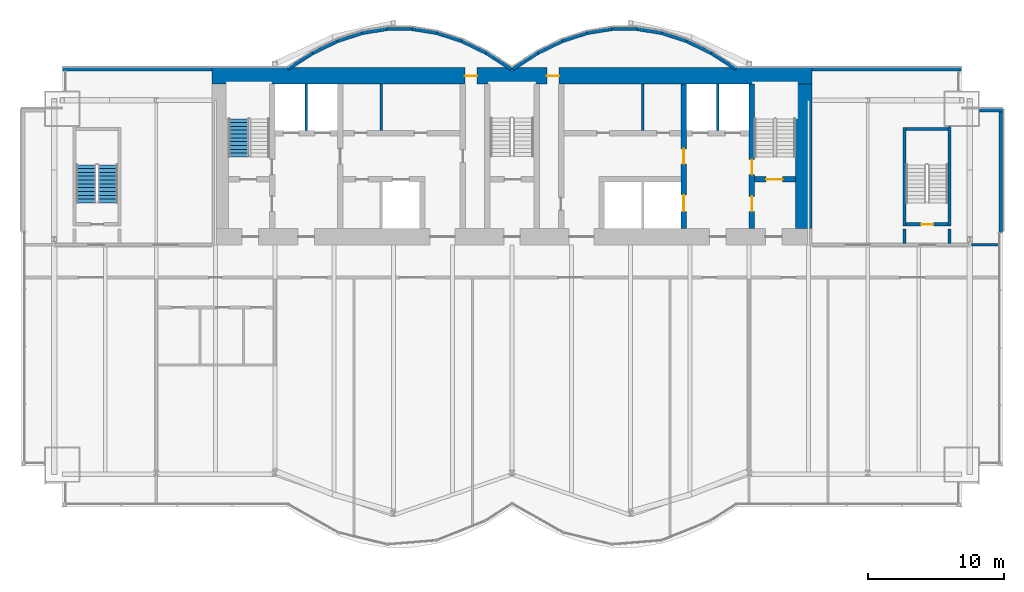
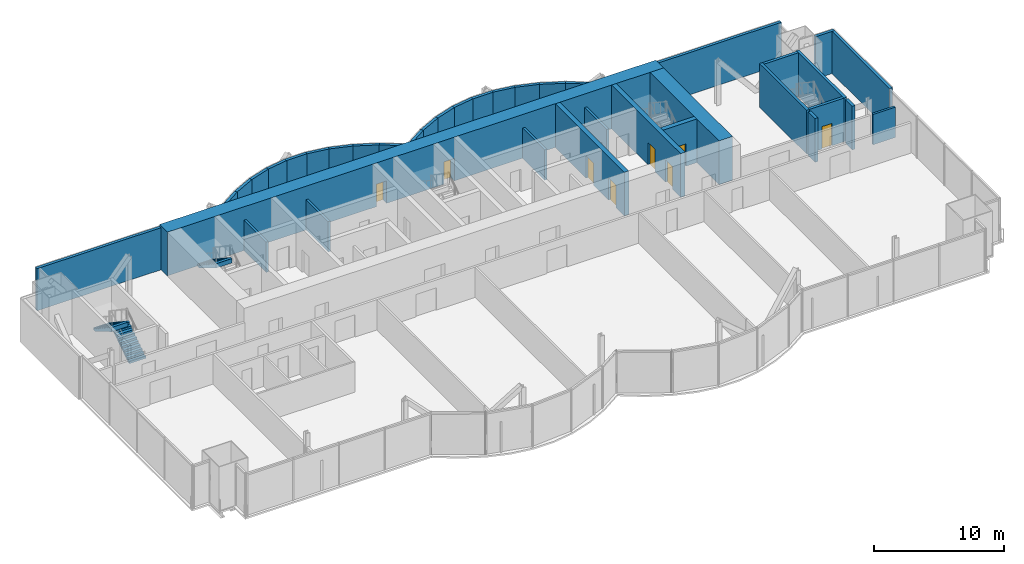
# One storey, part 16 of 20: 38 walls, 8 doors, 3 stair flights, 8 openings, 2 elements without a shape of their own.
"""IFC4 building model written with IfcOpenShell, lengths in metres."""

from ifc_helpers import new_model, si_unit, direction, frame, frame_2d, origin, place, context, subcontext, project, spatial, polyline, rectangle, outline, extrude, material, layer, layer_set, layer_usage, type_object, element, fill, aggregate, save


model = new_model("IFC4")

# Units and contexts
model_context = context("Model", 3, precision=1e-05, world=origin(), true_north=direction((0.0, 1.0)))
body_context = subcontext(model_context, "Body", "Model", "MODEL_VIEW")
ifc_project = project(units=[si_unit("LENGTHUNIT", "METRE"), si_unit("AREAUNIT", "SQUARE_METRE"), si_unit("VOLUMEUNIT", "CUBIC_METRE"), si_unit("PLANEANGLEUNIT", "RADIAN"), si_unit("MASSUNIT", "GRAM", prefix="KILO")], contexts=[model_context])

# Site, building, storey
site_placement = place(None, origin())
site = spatial("IfcSite", under=ifc_project, at=site_placement, CompositionType="ELEMENT")
building_placement = place(site_placement, origin())
building = spatial("IfcBuilding", under=site, at=building_placement, Name="Bicima Exchange Tower", CompositionType="ELEMENT")
storey_placement = place(building_placement, frame((0.0, 0.0, 207.300048828125)))
storey = spatial("IfcBuildingStorey", under=building, at=storey_placement, Name="L46", CompositionType="ELEMENT", Elevation=207.300048828125)

# Walls
ifc_material_1 = material(Name="Gypsum board partition")
ifc_layer_1 = layer(ifc_material_1, 0.199951171875)
ifc_layer_set_1 = layer_set([ifc_layer_1], Name="Gypsum board partition")
wall_type_1 = type_object("IfcWallType", Name="Fire-rated gypsum partition 200 EI120", PredefinedType="PARTITIONING", material=ifc_layer_set_1)
for number, where, z_axis, x_axis, name in (
    (1, (-15.10009765625, -4.60009765625, 0.0), (0.0, 0.0, 1.0), (0.0, 1.0, 0.0), "partition wall 9"),
    (2, (15.10009765625, -4.60009765625, 0.0), (0.0, 0.0, 1.0), (0.0, 1.0, 0.0), "partition wall 22"),
):
    element("IfcWall", number, at=place(storey_placement, frame(where, z_axis=z_axis, x_axis=x_axis)), inside=storey, type_object=wall_type_1, Name=name, PredefinedType="PARTITIONING", context=body_context, shape_type="SweptSolid", body=[
        extrude(rectangle(XDim=3.400146484375, YDim=0.199951171875, at=frame_2d((1.7001953125, 0.0))), origin(), (0.0, 0.0, 1.0), 2.84033203125),
    ])
ifc_layer_2 = layer(ifc_material_1, 0.199951171875)
ifc_layer_set_2 = layer_set([ifc_layer_2], Name="Gypsum board partition")
wall_type_2 = type_object("IfcWallType", Name="Fire-rated gypsum partition 200 EI60", PredefinedType="PARTITIONING", material=ifc_layer_set_2)
wall_1_placement = place(storey_placement, frame((33.719970703125, -13.0, 0.0), z_axis=(0.0, 0.0, 1.0), x_axis=(1.0, 0.0, 0.0)))
element("IfcWall", 3, at=wall_1_placement, inside=storey, type_object=wall_type_2, Name="partition wall 7", PredefinedType="PARTITIONING", context=body_context, shape_type="SweptSolid", body=[
    extrude(rectangle(XDim=1.9599609375, YDim=0.199951171875, at=frame_2d((0.97998046875, 0.0))), origin(), (0.0, 0.0, 1.0), 2.84033203125),
])
for number, where, z_axis, x_axis, name in (
    (4, (-9.60009765625, -4.60009765625, 0.0), (0.0, 0.0, 1.0), (0.0, 1.0, 0.0), "partition wall 12"),
    (5, (9.60009765625, -4.60009765625, 0.0), (0.0, 0.0, 1.0), (0.0, 1.0, 0.0), "partition wall 20"),
):
    element("IfcWall", number, at=place(storey_placement, frame(where, z_axis=z_axis, x_axis=x_axis)), inside=storey, type_object=wall_type_2, Name=name, PredefinedType="PARTITIONING", context=body_context, shape_type="SweptSolid", body=[
        extrude(rectangle(XDim=3.400146484375, YDim=0.199951171875, at=frame_2d((1.7001953125, 0.0))), origin(), (0.0, 0.0, 1.0), 2.84033203125),
    ])

# Wall, openings, doors
ifc_material_2 = material(Name="Concrete C50/60", Category="concrete")
ifc_layer_3 = layer(ifc_material_2, 1.199951171875)
ifc_layer_set_3 = layer_set([ifc_layer_3], Name="Concrete C50/60")
wall_type_3 = type_object("IfcWallType", Name="RC core wall 1200 C50/60", PredefinedType="SHEAR", material=ifc_layer_set_3)
wall_2_placement = place(storey_placement, frame((-22.0, -0.60009765625, 0.0), z_axis=(0.0, 0.0, 1.0), x_axis=(1.0, 0.0, 0.0)))
wall_2 = element("IfcWall", 6, at=wall_2_placement, inside=storey, type_object=wall_type_3, Name="Core wall north", PredefinedType="SHEAR", context=body_context, shape_type="SweptSolid", body=[
    extrude(rectangle(XDim=44.0, YDim=1.199951171875, at=frame_2d((22.0, 0.0))), origin(), (0.0, 0.0, 1.0), 4.099853515625),
])
opening_1_placement = place(wall_2_placement, frame((18.550048828125, 0.0, 0.0)))
opening_1 = element("IfcOpeningElement", 7, at=opening_1_placement, cuts=wall_2, Name="Opening L46-C17", PredefinedType="OPENING", context=body_context, shape_type="SweptSolid", body=[
    extrude(rectangle(XDim=0.89990234375, YDim=2.10009765625, at=frame_2d((0.449951171875, 1.050048828125))), frame((0.0, 0.61181640625, 0.0), z_axis=(0.0, -1.0, 0.0), x_axis=(1.0, 0.0, 0.0)), (0.0, 0.0, 1.0), 1.223876953125),
])
opening_2_placement = place(wall_2_placement, frame((24.550048828125, 0.0, 0.0)))
opening_2 = element("IfcOpeningElement", 8, at=opening_2_placement, cuts=wall_2, Name="Opening L46-C18", PredefinedType="OPENING", context=body_context, shape_type="SweptSolid", body=[
    extrude(rectangle(XDim=0.89990234375, YDim=2.10009765625, at=frame_2d((0.449951171875, 1.050048828125))), frame((0.0, 0.61181640625, 0.0), z_axis=(0.0, -1.0, 0.0), x_axis=(1.0, 0.0, 0.0)), (0.0, 0.0, 1.0), 1.223876953125),
])
ifc_material_3 = material(Name="Steel fire door leaf", Category="steel")
door_type_1 = type_object("IfcDoorType", Name="Door 900 swing FD30S", OperationType="SINGLE_SWING_LEFT", PredefinedType="DOOR", material=ifc_material_3)
door_1_placement = place(opening_1_placement, origin())
door_1 = element("IfcDoor", 9, at=door_1_placement, inside=storey, type_object=door_type_1, Name="Core door", OperationType="SINGLE_SWING_LEFT", OverallHeight=2.10009765625, OverallWidth=0.89990234375, PredefinedType="DOOR", context=body_context, shape_type="SweptSolid", body=[
    extrude(rectangle(XDim=0.89990234375, YDim=2.10009765625, at=frame_2d((0.449951171875, 1.050048828125))), frame((0.0, 0.02490234375, 0.0), z_axis=(0.0, -1.0, 0.0), x_axis=(1.0, 0.0, 0.0)), (0.0, 0.0, 1.0), 0.050048828125),
])
fill(opening_1, door_1)
door_2_placement = place(opening_2_placement, origin())
door_2 = element("IfcDoor", 10, at=door_2_placement, inside=storey, type_object=door_type_1, Name="Core door", OperationType="SINGLE_SWING_LEFT", OverallHeight=2.10009765625, OverallWidth=0.89990234375, PredefinedType="DOOR", context=body_context, shape_type="SweptSolid", body=[
    extrude(rectangle(XDim=0.89990234375, YDim=2.10009765625, at=frame_2d((0.449951171875, 1.050048828125))), frame((0.0, 0.02490234375, 0.0), z_axis=(0.0, -1.0, 0.0), x_axis=(1.0, 0.0, 0.0)), (0.0, 0.0, 1.0), 0.050048828125),
])
fill(opening_2, door_2)

# Walls
wall_3_placement = place(storey_placement, frame((21.39990234375, -11.800048828125, 0.0), z_axis=(0.0, 0.0, 1.0), x_axis=(0.0, 1.0, 0.0)))
element("IfcWall", 11, at=wall_3_placement, inside=storey, type_object=wall_type_3, Name="Core wall east", PredefinedType="SHEAR", context=body_context, shape_type="SweptSolid", body=[
    extrude(rectangle(XDim=10.60009765625, YDim=1.199951171875, at=frame_2d((5.300048828125, 0.0))), origin(), (0.0, 0.0, 1.0), 4.099853515625),
])
ifc_layer_4 = layer(ifc_material_2, 0.25)
ifc_layer_set_4 = layer_set([ifc_layer_4], Name="Concrete C50/60")
wall_type_4 = type_object("IfcWallType", Name="RC core wall 250 C50/60", PredefinedType="SHEAR", material=ifc_layer_set_4)
for number, where, z_axis, x_axis, name in (
    (12, (28.800048828125, -12.89990234375, 0.0), (0.0, 0.0, 1.0), (0.0, 1.0, 0.0), "stair wall 26"),
    (13, (32.10009765625, -12.89990234375, 0.0), (0.0, 0.0, 1.0), (0.0, 1.0, 0.0), "stair wall 27"),
):
    element("IfcWall", number, at=place(storey_placement, frame(where, z_axis=z_axis, x_axis=x_axis)), inside=storey, type_object=wall_type_4, Name=name, PredefinedType="SHEAR", context=body_context, shape_type="SweptSolid", body=[
        extrude(rectangle(XDim=1.0498046875, YDim=0.25, at=frame_2d((0.52490234375, 0.0))), origin(), (0.0, 0.0, 1.0), 4.099853515625),
    ])

# Wall, opening, door
ifc_layer_5 = layer(ifc_material_2, 0.39990234375)
ifc_layer_set_5 = layer_set([ifc_layer_5], Name="Concrete C50/60")
wall_type_5 = type_object("IfcWallType", Name="RC core wall 400 C50/60", PredefinedType="SHEAR", material=ifc_layer_set_5)
wall_4_placement = place(storey_placement, frame((17.800048828125, -8.199951171875, 0.0), z_axis=(0.0, 0.0, 1.0), x_axis=(1.0, 0.0, 0.0)))
wall_4 = element("IfcWall", 14, at=wall_4_placement, inside=storey, type_object=wall_type_5, Name="stair wall 5", PredefinedType="SHEAR", context=body_context, shape_type="SweptSolid", body=[
    extrude(rectangle(XDim=3.0, YDim=0.39990234375, at=frame_2d((1.5, 0.0))), origin(), (0.0, 0.0, 1.0), 4.099853515625),
])
opening_3_placement = place(wall_4_placement, frame((0.85009765625, 0.0, 0.0)))
opening_3 = element("IfcOpeningElement", 15, at=opening_3_placement, cuts=wall_4, Name="Opening L46-C04", PredefinedType="OPENING", context=body_context, shape_type="SweptSolid", body=[
    extrude(rectangle(XDim=1.199951171875, YDim=2.10009765625, at=frame_2d((0.60009765625, 1.050048828125))), frame((0.0, 0.2119140625, 0.0), z_axis=(0.0, -1.0, 0.0), x_axis=(1.0, 0.0, 0.0)), (0.0, 0.0, 1.0), 0.423828125),
])
door_type_2 = type_object("IfcDoorType", Name="Door 1200 swing FD60S", OperationType="SINGLE_SWING_LEFT", PredefinedType="DOOR", material=ifc_material_3)
door_3_placement = place(opening_3_placement, origin())
door_3 = element("IfcDoor", 16, at=door_3_placement, inside=storey, type_object=door_type_2, Name="Core door", OperationType="SINGLE_SWING_RIGHT", OverallHeight=2.10009765625, OverallWidth=1.199951171875, PredefinedType="DOOR", context=body_context, shape_type="SweptSolid", body=[
    extrude(rectangle(XDim=1.199951171875, YDim=2.10009765625, at=frame_2d((0.60009765625, 1.050048828125))), frame((0.0, 0.02490234375, 0.0), z_axis=(0.0, -1.0, 0.0), x_axis=(1.0, 0.0, 0.0)), (0.0, 0.0, 1.0), 0.050048828125),
])
fill(opening_3, door_3)

# Wall, openings, doors
wall_5_placement = place(storey_placement, frame((12.60009765625, -11.800048828125, 0.0), z_axis=(0.0, 0.0, 1.0), x_axis=(0.0, 1.0, 0.0)))
wall_5 = element("IfcWall", 17, at=wall_5_placement, inside=storey, type_object=wall_type_5, Name="shear wall 21", PredefinedType="SHEAR", context=body_context, shape_type="SweptSolid", body=[
    extrude(rectangle(XDim=10.60009765625, YDim=0.39990234375, at=frame_2d((5.300048828125, 0.0))), origin(), (0.0, 0.0, 1.0), 4.099853515625),
])
opening_4_placement = place(wall_5_placement, frame((1.25, 0.0, 0.0)))
opening_4 = element("IfcOpeningElement", 18, at=opening_4_placement, cuts=wall_5, Name="Opening LD-MB2-L46", PredefinedType="OPENING", context=body_context, shape_type="SweptSolid", body=[
    extrude(rectangle(XDim=1.199951171875, YDim=2.10009765625, at=frame_2d((0.60009765625, 1.050048828125))), frame((0.0, 0.2119140625, 0.0), z_axis=(0.0, -1.0, 0.0), x_axis=(1.0, 0.0, 0.0)), (0.0, 0.0, 1.0), 0.423828125),
])
opening_5_placement = place(wall_5_placement, frame((4.75, 0.0, 0.0)))
opening_5 = element("IfcOpeningElement", 19, at=opening_5_placement, cuts=wall_5, Name="Opening L46-C09", PredefinedType="OPENING", context=body_context, shape_type="SweptSolid", body=[
    extrude(rectangle(XDim=1.10009765625, YDim=2.10009765625, at=frame_2d((0.550048828125, 1.050048828125))), frame((0.0, 0.2119140625, 0.0), z_axis=(0.0, -1.0, 0.0), x_axis=(1.0, 0.0, 0.0)), (0.0, 0.0, 1.0), 0.423828125),
])
door_type_3 = type_object("IfcDoorType", Name="Door 1100 swing FD60S", OperationType="SINGLE_SWING_LEFT", PredefinedType="DOOR", material=ifc_material_3)
door_4_placement = place(opening_5_placement, frame((1.10009765625, 0.0, 0.0), z_axis=(0.0, 0.0, 1.0), x_axis=(-1.0, 0.0, 0.0)))
door_4 = element("IfcDoor", 20, at=door_4_placement, inside=storey, type_object=door_type_3, Name="Core door", OperationType="SINGLE_SWING_RIGHT", OverallHeight=2.10009765625, OverallWidth=1.10009765625, PredefinedType="DOOR", context=body_context, shape_type="SweptSolid", body=[
    extrude(rectangle(XDim=1.10009765625, YDim=2.10009765625, at=frame_2d((0.550048828125, 1.050048828125))), frame((0.0, 0.02490234375, 0.0), z_axis=(0.0, -1.0, 0.0), x_axis=(1.0, 0.0, 0.0)), (0.0, 0.0, 1.0), 0.050048828125),
])
fill(opening_5, door_4)
ifc_material_4 = material(Name="Stainless steel", Category="steel")
door_type_4 = type_object("IfcDoorType", Name="Lift landing door 1200 sliding", OperationType="DOUBLE_DOOR_SLIDING", PredefinedType="DOOR", material=ifc_material_4)
door_5_placement = place(opening_4_placement, origin())
door_5 = element("IfcDoor", 21, at=door_5_placement, inside=storey, type_object=door_type_4, Name="Lift landing door MB2", OperationType="DOUBLE_DOOR_SLIDING", OverallHeight=2.10009765625, OverallWidth=1.199951171875, PredefinedType="DOOR", context=body_context, shape_type="SweptSolid", body=[
    extrude(rectangle(XDim=1.199951171875, YDim=2.10009765625, at=frame_2d((0.60009765625, 1.050048828125))), frame((0.0, 0.02490234375, 0.0), z_axis=(0.0, -1.0, 0.0), x_axis=(1.0, 0.0, 0.0)), (0.0, 0.0, 1.0), 0.050048828125),
])
fill(opening_4, door_5)

wall_6_placement = place(storey_placement, frame((17.60009765625, -11.800048828125, 0.0), z_axis=(0.0, 0.0, 1.0), x_axis=(0.0, 1.0, 0.0)))
wall_6 = element("IfcWall", 22, at=wall_6_placement, inside=storey, type_object=wall_type_5, Name="stair wall 23", PredefinedType="SHEAR", context=body_context, shape_type="SweptSolid", body=[
    extrude(rectangle(XDim=10.60009765625, YDim=0.39990234375, at=frame_2d((5.300048828125, 0.0))), origin(), (0.0, 0.0, 1.0), 4.099853515625),
])
opening_6_placement = place(wall_6_placement, frame((1.25, 0.0, 0.0)))
opening_6 = element("IfcOpeningElement", 23, at=opening_6_placement, cuts=wall_6, Name="Opening L46-C05", PredefinedType="OPENING", context=body_context, shape_type="SweptSolid", body=[
    extrude(rectangle(XDim=1.10009765625, YDim=2.10009765625, at=frame_2d((0.550048828125, 1.050048828125))), frame((0.0, 0.2119140625, 0.0), z_axis=(0.0, -1.0, 0.0), x_axis=(1.0, 0.0, 0.0)), (0.0, 0.0, 1.0), 0.423828125),
])
opening_7_placement = place(wall_6_placement, frame((3.949951171875, 0.0, 0.0)))
opening_7 = element("IfcOpeningElement", 24, at=opening_7_placement, cuts=wall_6, Name="Opening L46-C08", PredefinedType="OPENING", context=body_context, shape_type="SweptSolid", body=[
    extrude(rectangle(XDim=1.10009765625, YDim=2.10009765625, at=frame_2d((0.550048828125, 1.050048828125))), frame((0.0, 0.2119140625, 0.0), z_axis=(0.0, -1.0, 0.0), x_axis=(1.0, 0.0, 0.0)), (0.0, 0.0, 1.0), 0.423828125),
])
door_6_placement = place(opening_6_placement, origin())
door_6 = element("IfcDoor", 25, at=door_6_placement, inside=storey, type_object=door_type_3, Name="Core door", OperationType="SINGLE_SWING_LEFT", OverallHeight=2.10009765625, OverallWidth=1.10009765625, PredefinedType="DOOR", context=body_context, shape_type="SweptSolid", body=[
    extrude(rectangle(XDim=1.10009765625, YDim=2.10009765625, at=frame_2d((0.550048828125, 1.050048828125))), frame((0.0, 0.02490234375, 0.0), z_axis=(0.0, -1.0, 0.0), x_axis=(1.0, 0.0, 0.0)), (0.0, 0.0, 1.0), 0.050048828125),
])
fill(opening_6, door_6)
door_7_placement = place(opening_7_placement, origin())
door_7 = element("IfcDoor", 26, at=door_7_placement, inside=storey, type_object=door_type_3, Name="Core door", OperationType="SINGLE_SWING_RIGHT", OverallHeight=2.10009765625, OverallWidth=1.10009765625, PredefinedType="DOOR", context=body_context, shape_type="SweptSolid", body=[
    extrude(rectangle(XDim=1.10009765625, YDim=2.10009765625, at=frame_2d((0.550048828125, 1.050048828125))), frame((0.0, 0.02490234375, 0.0), z_axis=(0.0, -1.0, 0.0), x_axis=(1.0, 0.0, 0.0)), (0.0, 0.0, 1.0), 0.050048828125),
])
fill(opening_7, door_7)

# Walls
ifc_layer_6 = layer(ifc_material_2, 0.25)
ifc_layer_set_6 = layer_set([ifc_layer_6], Name="Concrete C50/60")
wall_type_6 = type_object("IfcWallType", Name="RC stair enclosure wall 250 C50/60", PredefinedType="SHEAR", material=ifc_layer_set_6)
wall_7_placement = place(storey_placement, frame((28.800048828125, -11.625, 0.0), z_axis=(0.0, 0.0, 1.0), x_axis=(0.0, 1.0, 0.0)))
element("IfcWall", 27, at=wall_7_placement, inside=storey, type_object=wall_type_6, Name="East end exit stair wall W", PredefinedType="SHEAR", context=body_context, shape_type="SweptSolid", body=[
    extrude(rectangle(XDim=7.25, YDim=0.25, at=frame_2d((3.625, 0.0))), origin(), (0.0, 0.0, 1.0), 4.099853515625),
])
wall_8_placement = place(storey_placement, frame((32.10009765625, -11.625, 0.0), z_axis=(0.0, 0.0, 1.0), x_axis=(0.0, 1.0, 0.0)))
element("IfcWall", 28, at=wall_8_placement, inside=storey, type_object=wall_type_6, Name="East end exit stair wall E", PredefinedType="SHEAR", context=body_context, shape_type="SweptSolid", body=[
    extrude(rectangle(XDim=7.324951171875, YDim=0.25, at=frame_2d((3.66259765625, 0.0))), origin(), (0.0, 0.0, 1.0), 4.099853515625),
])

# Wall, opening, door
wall_9_placement = place(storey_placement, frame((28.925048828125, -11.5, 0.0), z_axis=(0.0, 0.0, 1.0), x_axis=(1.0, 0.0, 0.0)))
wall_9 = element("IfcWall", 29, at=wall_9_placement, inside=storey, type_object=wall_type_6, Name="East end exit stair wall S", PredefinedType="SHEAR", context=body_context, shape_type="SweptSolid", body=[
    extrude(rectangle(XDim=3.050048828125, YDim=0.25, at=frame_2d((1.52490234375, 0.0))), origin(), (0.0, 0.0, 1.0), 4.099853515625),
])
opening_8_placement = place(wall_9_placement, frame((1.10009765625, 0.0, 0.0)))
opening_8 = element("IfcOpeningElement", 30, at=opening_8_placement, cuts=wall_9, Name="Opening L46-004", PredefinedType="OPENING", context=body_context, shape_type="SweptSolid", body=[
    extrude(rectangle(XDim=0.89990234375, YDim=2.10009765625, at=frame_2d((0.449951171875, 1.050048828125))), frame((0.0, 0.136962890625, 0.0), z_axis=(0.0, -1.0, 0.0), x_axis=(1.0, 0.0, 0.0)), (0.0, 0.0, 1.0), 0.27392578125),
])
door_type_5 = type_object("IfcDoorType", Name="Door 900 swing FD60S", OperationType="SINGLE_SWING_LEFT", PredefinedType="DOOR", material=ifc_material_3)
door_8_placement = place(opening_8_placement, origin())
door_8 = element("IfcDoor", 31, at=door_8_placement, inside=storey, type_object=door_type_5, Name="Door", OperationType="SINGLE_SWING_LEFT", OverallHeight=2.10009765625, OverallWidth=0.89990234375, PredefinedType="DOOR", context=body_context, shape_type="SweptSolid", body=[
    extrude(rectangle(XDim=0.89990234375, YDim=2.10009765625, at=frame_2d((0.449951171875, 1.050048828125))), frame((0.0, 0.02490234375, 0.0), z_axis=(0.0, -1.0, 0.0), x_axis=(1.0, 0.0, 0.0)), (0.0, 0.0, 1.0), 0.050048828125),
])
fill(opening_8, door_8)

# Walls
wall_10_placement = place(storey_placement, frame((28.925048828125, -4.5, 0.0), z_axis=(0.0, 0.0, 1.0), x_axis=(1.0, 0.0, 0.0)))
element("IfcWall", 32, at=wall_10_placement, inside=storey, type_object=wall_type_6, Name="East end exit stair wall N", PredefinedType="SHEAR", context=body_context, shape_type="SweptSolid", body=[
    extrude(rectangle(XDim=3.050048828125, YDim=0.25, at=frame_2d((1.52490234375, 0.0))), origin(), (0.0, 0.0, 1.0), 4.099853515625),
])
ifc_material_5 = material(Name="Concrete C40/50", Category="concrete")
ifc_layer_7 = layer(ifc_material_5, 0.25)
ifc_layer_set_7 = layer_set([ifc_layer_7], Name="Concrete C40/50")
ifc_layer_usage = layer_usage(ifc_layer_set_7, "AXIS2", "POSITIVE", -0.125)
wall_type_7 = type_object("IfcWallType", Name="Rear backup wall 250", PredefinedType="STANDARD", material=ifc_layer_set_7)
wall_11_placement = place(storey_placement, frame((33.0, -0.125, 0.0), z_axis=(0.0, 0.0, 1.0), x_axis=(-1.0, 0.0, 0.0)))
element("IfcWall", 33, at=wall_11_placement, inside=storey, type_object=wall_type_7, material=ifc_layer_usage, Name="Rear backup wall L46 1", PredefinedType="STANDARD", context=body_context, shape_type="SweptSolid", body=[
    extrude(rectangle(XDim=11.0, YDim=0.25, at=frame_2d((5.5, 0.0))), origin(), (0.0, 0.0, 1.0), 3.949951171875),
])
wall_12_placement = place(storey_placement, frame((16.43212890625, -0.10498046875, 0.0), z_axis=(0.0, 0.0, 1.0), x_axis=(-0.83981312244, 0.542875602121, 0.0)))
element("IfcWall", 34, at=wall_12_placement, inside=storey, type_object=wall_type_7, material=ifc_layer_usage, Name="Rear backup wall L46 2", PredefinedType="STANDARD", context=body_context, shape_type="SweptSolid", body=[
    extrude(rectangle(XDim=2.182861328125, YDim=0.25, at=frame_2d((1.09130859375, 0.0))), origin(), (0.0, 0.0, 1.0), 3.949951171875),
])
wall_13_placement = place(storey_placement, frame((14.6123046875, 1.07275390625, 0.0), z_axis=(0.0, 0.0, 1.0), x_axis=(-0.89982408427, 0.436252928206, 0.0)))
element("IfcWall", 35, at=wall_13_placement, inside=storey, type_object=wall_type_7, material=ifc_layer_usage, Name="Rear backup wall L46 3", PredefinedType="STANDARD", context=body_context, shape_type="SweptSolid", body=[
    extrude(rectangle(XDim=2.03759765625, YDim=0.25, at=frame_2d((1.018798828125, 0.0))), origin(), (0.0, 0.0, 1.0), 3.949951171875),
])
wall_14_placement = place(storey_placement, frame((12.794921875, 1.955078125, 0.0), z_axis=(0.0, 0.0, 1.0), x_axis=(-0.951495806175, 0.307661714928, 0.0)))
element("IfcWall", 36, at=wall_14_placement, inside=storey, type_object=wall_type_7, material=ifc_layer_usage, Name="Rear backup wall L46 4", PredefinedType="STANDARD", context=body_context, shape_type="SweptSolid", body=[
    extrude(rectangle(XDim=1.9267578125, YDim=0.25, at=frame_2d((0.96337890625, 0.0))), origin(), (0.0, 0.0, 1.0), 3.949951171875),
])
wall_15_placement = place(storey_placement, frame((10.97998046875, 2.543212890625, 0.0), z_axis=(0.0, 0.0, 1.0), x_axis=(-0.987181718931, 0.159600293885, 0.0)))
element("IfcWall", 37, at=wall_15_placement, inside=storey, type_object=wall_type_7, material=ifc_layer_usage, Name="Rear backup wall L46 5", PredefinedType="STANDARD", context=body_context, shape_type="SweptSolid", body=[
    extrude(rectangle(XDim=1.857177734375, YDim=0.25, at=frame_2d((0.9287109375, 0.0))), origin(), (0.0, 0.0, 1.0), 3.949951171875),
])
wall_16_placement = place(storey_placement, frame((9.166748046875, 2.837890625, 0.0), z_axis=(0.0, 0.0, 1.0), x_axis=(-1.0, 0.0, 0.0)))
element("IfcWall", 38, at=wall_16_placement, inside=storey, type_object=wall_type_7, material=ifc_layer_usage, Name="Rear backup wall L46 6", PredefinedType="STANDARD", context=body_context, shape_type="SweptSolid", body=[
    extrude(rectangle(XDim=1.83349609375, YDim=0.25, at=frame_2d((0.916748046875, 0.0))), origin(), (0.0, 0.0, 1.0), 3.949951171875),
])
wall_17_placement = place(storey_placement, frame((7.353271484375, 2.839599609375, 0.0), z_axis=(0.0, 0.0, 1.0), x_axis=(-0.987181718931, -0.159600293885, 0.0)))
element("IfcWall", 39, at=wall_17_placement, inside=storey, type_object=wall_type_7, material=ifc_layer_usage, Name="Rear backup wall L46 7", PredefinedType="STANDARD", context=body_context, shape_type="SweptSolid", body=[
    extrude(rectangle(XDim=1.857177734375, YDim=0.25, at=frame_2d((0.9287109375, 0.0))), origin(), (0.0, 0.0, 1.0), 3.949951171875),
])
wall_18_placement = place(storey_placement, frame((5.538330078125, 2.5478515625, 0.0), z_axis=(0.0, 0.0, 1.0), x_axis=(-0.951495806175, -0.307661714928, 0.0)))
element("IfcWall", 40, at=wall_18_placement, inside=storey, type_object=wall_type_7, material=ifc_layer_usage, Name="Rear backup wall L46 8", PredefinedType="STANDARD", context=body_context, shape_type="SweptSolid", body=[
    extrude(rectangle(XDim=1.9267578125, YDim=0.25, at=frame_2d((0.96337890625, 0.0))), origin(), (0.0, 0.0, 1.0), 3.949951171875),
])
wall_19_placement = place(storey_placement, frame((3.72119140625, 1.961669921875, 0.0), z_axis=(0.0, 0.0, 1.0), x_axis=(-0.89982408427, -0.436252928206, 0.0)))
element("IfcWall", 41, at=wall_19_placement, inside=storey, type_object=wall_type_7, material=ifc_layer_usage, Name="Rear backup wall L46 9", PredefinedType="STANDARD", context=body_context, shape_type="SweptSolid", body=[
    extrude(rectangle(XDim=2.03759765625, YDim=0.25, at=frame_2d((1.018798828125, 0.0))), origin(), (0.0, 0.0, 1.0), 3.949951171875),
])
for number, where, z_axis, x_axis, name in (
    (42, (1.901123046875, 1.080078125, 0.0), (0.0, 0.0, 1.0), (-0.83981312244, -0.542875602121, 0.0), "Rear backup wall L46 10"),
    (43, (-0.06787109375, -0.10498046875, 0.0), (0.0, 0.0, 1.0), (-0.83981312244, 0.542875602121, 0.0), "Rear backup wall L46 11"),
):
    element("IfcWall", number, at=place(storey_placement, frame(where, z_axis=z_axis, x_axis=x_axis)), inside=storey, type_object=wall_type_7, material=ifc_layer_usage, Name=name, PredefinedType="STANDARD", context=body_context, shape_type="SweptSolid", body=[
        extrude(rectangle(XDim=2.182861328125, YDim=0.25, at=frame_2d((1.09130859375, 0.0))), origin(), (0.0, 0.0, 1.0), 3.949951171875),
    ])
wall_20_placement = place(storey_placement, frame((-1.8876953125, 1.07275390625, 0.0), z_axis=(0.0, 0.0, 1.0), x_axis=(-0.89982408427, 0.436252928206, 0.0)))
element("IfcWall", 44, at=wall_20_placement, inside=storey, type_object=wall_type_7, material=ifc_layer_usage, Name="Rear backup wall L46 12", PredefinedType="STANDARD", context=body_context, shape_type="SweptSolid", body=[
    extrude(rectangle(XDim=2.03759765625, YDim=0.25, at=frame_2d((1.018798828125, 0.0))), origin(), (0.0, 0.0, 1.0), 3.949951171875),
])
wall_21_placement = place(storey_placement, frame((-3.705078125, 1.955078125, 0.0), z_axis=(0.0, 0.0, 1.0), x_axis=(-0.951495806175, 0.307661714928, 0.0)))
element("IfcWall", 45, at=wall_21_placement, inside=storey, type_object=wall_type_7, material=ifc_layer_usage, Name="Rear backup wall L46 13", PredefinedType="STANDARD", context=body_context, shape_type="SweptSolid", body=[
    extrude(rectangle(XDim=1.9267578125, YDim=0.25, at=frame_2d((0.96337890625, 0.0))), origin(), (0.0, 0.0, 1.0), 3.949951171875),
])
wall_22_placement = place(storey_placement, frame((-5.52001953125, 2.543212890625, 0.0), z_axis=(0.0, 0.0, 1.0), x_axis=(-0.987181718931, 0.159600293885, 0.0)))
element("IfcWall", 46, at=wall_22_placement, inside=storey, type_object=wall_type_7, material=ifc_layer_usage, Name="Rear backup wall L46 14", PredefinedType="STANDARD", context=body_context, shape_type="SweptSolid", body=[
    extrude(rectangle(XDim=1.857177734375, YDim=0.25, at=frame_2d((0.9287109375, 0.0))), origin(), (0.0, 0.0, 1.0), 3.949951171875),
])
wall_23_placement = place(storey_placement, frame((-7.333251953125, 2.837890625, 0.0), z_axis=(0.0, 0.0, 1.0), x_axis=(-1.0, 0.0, 0.0)))
element("IfcWall", 47, at=wall_23_placement, inside=storey, type_object=wall_type_7, material=ifc_layer_usage, Name="Rear backup wall L46 15", PredefinedType="STANDARD", context=body_context, shape_type="SweptSolid", body=[
    extrude(rectangle(XDim=1.83349609375, YDim=0.25, at=frame_2d((0.916748046875, 0.0))), origin(), (0.0, 0.0, 1.0), 3.949951171875),
])
wall_24_placement = place(storey_placement, frame((-9.146728515625, 2.839599609375, 0.0), z_axis=(0.0, 0.0, 1.0), x_axis=(-0.987181718931, -0.159600293885, 0.0)))
element("IfcWall", 48, at=wall_24_placement, inside=storey, type_object=wall_type_7, material=ifc_layer_usage, Name="Rear backup wall L46 16", PredefinedType="STANDARD", context=body_context, shape_type="SweptSolid", body=[
    extrude(rectangle(XDim=1.857177734375, YDim=0.25, at=frame_2d((0.9287109375, 0.0))), origin(), (0.0, 0.0, 1.0), 3.949951171875),
])
wall_25_placement = place(storey_placement, frame((-10.961669921875, 2.5478515625, 0.0), z_axis=(0.0, 0.0, 1.0), x_axis=(-0.951495806175, -0.307661714928, 0.0)))
element("IfcWall", 49, at=wall_25_placement, inside=storey, type_object=wall_type_7, material=ifc_layer_usage, Name="Rear backup wall L46 17", PredefinedType="STANDARD", context=body_context, shape_type="SweptSolid", body=[
    extrude(rectangle(XDim=1.9267578125, YDim=0.25, at=frame_2d((0.96337890625, 0.0))), origin(), (0.0, 0.0, 1.0), 3.949951171875),
])
wall_26_placement = place(storey_placement, frame((-12.77880859375, 1.961669921875, 0.0), z_axis=(0.0, 0.0, 1.0), x_axis=(-0.89982408427, -0.436252928206, 0.0)))
element("IfcWall", 50, at=wall_26_placement, inside=storey, type_object=wall_type_7, material=ifc_layer_usage, Name="Rear backup wall L46 18", PredefinedType="STANDARD", context=body_context, shape_type="SweptSolid", body=[
    extrude(rectangle(XDim=2.03759765625, YDim=0.25, at=frame_2d((1.018798828125, 0.0))), origin(), (0.0, 0.0, 1.0), 3.949951171875),
])
wall_27_placement = place(storey_placement, frame((-14.598876953125, 1.080078125, 0.0), z_axis=(0.0, 0.0, 1.0), x_axis=(-0.83981312244, -0.542875602121, 0.0)))
element("IfcWall", 51, at=wall_27_placement, inside=storey, type_object=wall_type_7, material=ifc_layer_usage, Name="Rear backup wall L46 19", PredefinedType="STANDARD", context=body_context, shape_type="SweptSolid", body=[
    extrude(rectangle(XDim=2.182861328125, YDim=0.25, at=frame_2d((1.09130859375, 0.0))), origin(), (0.0, 0.0, 1.0), 3.949951171875),
])
wall_28_placement = place(storey_placement, frame((-22.0, -0.125, 0.0), z_axis=(0.0, 0.0, 1.0), x_axis=(-1.0, 0.0, 0.0)))
element("IfcWall", 52, at=wall_28_placement, inside=storey, type_object=wall_type_7, material=ifc_layer_usage, Name="Rear backup wall L46 20", PredefinedType="STANDARD", context=body_context, shape_type="SweptSolid", body=[
    extrude(rectangle(XDim=11.0, YDim=0.25, at=frame_2d((5.5, 0.0))), origin(), (0.0, 0.0, 1.0), 3.949951171875),
])
wall_29_placement = place(storey_placement, frame((35.875, -12.090087890625, 0.0), z_axis=(0.0, 0.0, 1.0), x_axis=(0.0, 1.0, 0.0)))
element("IfcWall", 53, at=wall_29_placement, inside=storey, type_object=wall_type_7, material=ifc_layer_usage, Name="Rear backup wall L46 50", PredefinedType="STANDARD", context=body_context, shape_type="SweptSolid", body=[
    extrude(rectangle(XDim=9.090087890625, YDim=0.25, at=frame_2d((4.544921875, 0.0))), origin(), (0.0, 0.0, 1.0), 3.949951171875),
])
wall_30_placement = place(storey_placement, frame((36.0, -3.125, 0.0), z_axis=(0.0, 0.0, 1.0), x_axis=(-1.0, 0.0, 0.0)))
element("IfcWall", 54, at=wall_30_placement, inside=storey, type_object=wall_type_7, material=ifc_layer_usage, Name="Rear backup wall L46 51", PredefinedType="STANDARD", context=body_context, shape_type="SweptSolid", body=[
    extrude(rectangle(XDim=1.699951171875, YDim=0.25, at=frame_2d((0.85009765625, 0.0))), origin(), (0.0, 0.0, 1.0), 3.949951171875),
])

# Stair, stair flight
stair_type = type_object("IfcStairType", Name="Exit stair", PredefinedType="HALF_TURN_STAIR", material=ifc_material_2)
stair_1_placement = place(storey_placement, origin())
stair_1 = element("IfcStair", 55, at=stair_1_placement, inside=storey, type_object=stair_type, Name="L46 West exit stair", PredefinedType="HALF_TURN_STAIR")
stair_flight_type = type_object("IfcStairFlightType", Name="Stair flight RC", PredefinedType="STRAIGHT", material=ifc_material_2)
stair_flight_1_placement = place(storey_placement, frame((-20.074951171875, -3.75, 2.050048828125), z_axis=(0.0, 0.0, 1.0), x_axis=(0.0, -1.0, 0.0)))
stair_flight_1 = element("IfcStairFlight", 56, at=stair_flight_1_placement, type_object=stair_flight_type, Name="ST-W flight 2", NumberOfRisers=11, NumberOfTreads=10, PredefinedType="STRAIGHT", RiserHeight=0.186363636, TreadLength=0.28, context=body_context, shape_type="SweptSolid", body=[
    extrude(outline(polyline([(0.0, 0.0), (0.0, 0.186279296875), (0.280029296875, 0.186279296875), (0.280029296875, 0.372802734375), (0.56005859375, 0.372802734375), (0.56005859375, 0.55908203125), (0.840087890625, 0.55908203125), (0.840087890625, 0.745361328125), (1.1201171875, 0.745361328125), (1.1201171875, 0.931884765625), (1.39990234375, 0.931884765625), (1.39990234375, 1.1181640625), (1.679931640625, 1.1181640625), (1.679931640625, 1.304443359375), (1.9599609375, 1.304443359375), (1.9599609375, 1.490966796875), (2.239990234375, 1.490966796875), (2.239990234375, 1.67724609375), (2.52001953125, 1.67724609375), (2.52001953125, 1.863525390625), (2.800048828125, 1.863525390625), (2.800048828125, 1.904052734375), (2.81494140625, 1.904052734375), (2.81494140625, 1.507080078125), (0.2705078125, 0.0), (0.0, 0.0)])), frame((0.0, 0.72509765625, 0.0), z_axis=(0.0, -1.0, 0.0), x_axis=(1.0, 0.0, 0.0)), (0.0, 0.0, 1.0), 1.449951171875),
])
aggregate(stair_1, [stair_flight_1])

# Stair, stair flights
stair_2_placement = place(storey_placement, origin())
stair_2 = element("IfcStair", 57, at=stair_2_placement, inside=storey, type_object=stair_type, Name="L46 West end exit stair", PredefinedType="HALF_TURN_STAIR")
stair_flight_2_placement = place(storey_placement, frame((-29.64990234375, -9.925048828125, 0.0), z_axis=(0.0, 0.0, 1.0), x_axis=(0.0, 1.0, 0.0)))
stair_flight_2 = element("IfcStairFlight", 58, at=stair_flight_2_placement, type_object=stair_flight_type, Name="ST-WW flight 1", NumberOfRisers=11, NumberOfTreads=10, PredefinedType="STRAIGHT", RiserHeight=0.186363636, TreadLength=0.28, context=body_context, shape_type="SweptSolid", body=[
    extrude(outline(polyline([(0.0, 0.0), (0.0, 0.186279296875), (0.280029296875, 0.186279296875), (0.280029296875, 0.372802734375), (0.56005859375, 0.372802734375), (0.56005859375, 0.55908203125), (0.840087890625, 0.55908203125), (0.840087890625, 0.745361328125), (1.1201171875, 0.745361328125), (1.1201171875, 0.931884765625), (1.39990234375, 0.931884765625), (1.39990234375, 1.1181640625), (1.679931640625, 1.1181640625), (1.679931640625, 1.304443359375), (1.9599609375, 1.304443359375), (1.9599609375, 1.490966796875), (2.239990234375, 1.490966796875), (2.239990234375, 1.67724609375), (2.52001953125, 1.67724609375), (2.52001953125, 1.863525390625), (2.800048828125, 1.863525390625), (2.800048828125, 2.050048828125), (2.800048828125, 1.68359375), (0.2705078125, 0.0), (0.0, 0.0)])), frame((0.0, 0.72509765625, 0.0), z_axis=(0.0, -1.0, 0.0), x_axis=(1.0, 0.0, 0.0)), (0.0, 0.0, 1.0), 1.449951171875),
])
stair_flight_3_placement = place(storey_placement, frame((-31.25, -7.125, 2.050048828125), z_axis=(0.0, 0.0, 1.0), x_axis=(0.0, -1.0, 0.0)))
stair_flight_3 = element("IfcStairFlight", 59, at=stair_flight_3_placement, type_object=stair_flight_type, Name="ST-WW flight 2", NumberOfRisers=11, NumberOfTreads=10, PredefinedType="STRAIGHT", RiserHeight=0.186363636, TreadLength=0.28, context=body_context, shape_type="SweptSolid", body=[
    extrude(outline(polyline([(0.0, 0.0), (0.0, 0.186279296875), (0.280029296875, 0.186279296875), (0.280029296875, 0.372802734375), (0.56005859375, 0.372802734375), (0.56005859375, 0.55908203125), (0.840087890625, 0.55908203125), (0.840087890625, 0.745361328125), (1.1201171875, 0.745361328125), (1.1201171875, 0.931884765625), (1.39990234375, 0.931884765625), (1.39990234375, 1.1181640625), (1.679931640625, 1.1181640625), (1.679931640625, 1.304443359375), (1.9599609375, 1.304443359375), (1.9599609375, 1.490966796875), (2.239990234375, 1.490966796875), (2.239990234375, 1.67724609375), (2.52001953125, 1.67724609375), (2.52001953125, 1.863525390625), (2.800048828125, 1.863525390625), (2.800048828125, 1.904052734375), (2.81494140625, 1.904052734375), (2.81494140625, 1.507080078125), (0.2705078125, 0.0), (0.0, 0.0)])), frame((0.0, 0.72509765625, 0.0), z_axis=(0.0, -1.0, 0.0), x_axis=(1.0, 0.0, 0.0)), (0.0, 0.0, 1.0), 1.449951171875),
])
aggregate(stair_2, [stair_flight_2, stair_flight_3])

save(model, "model.ifc")
